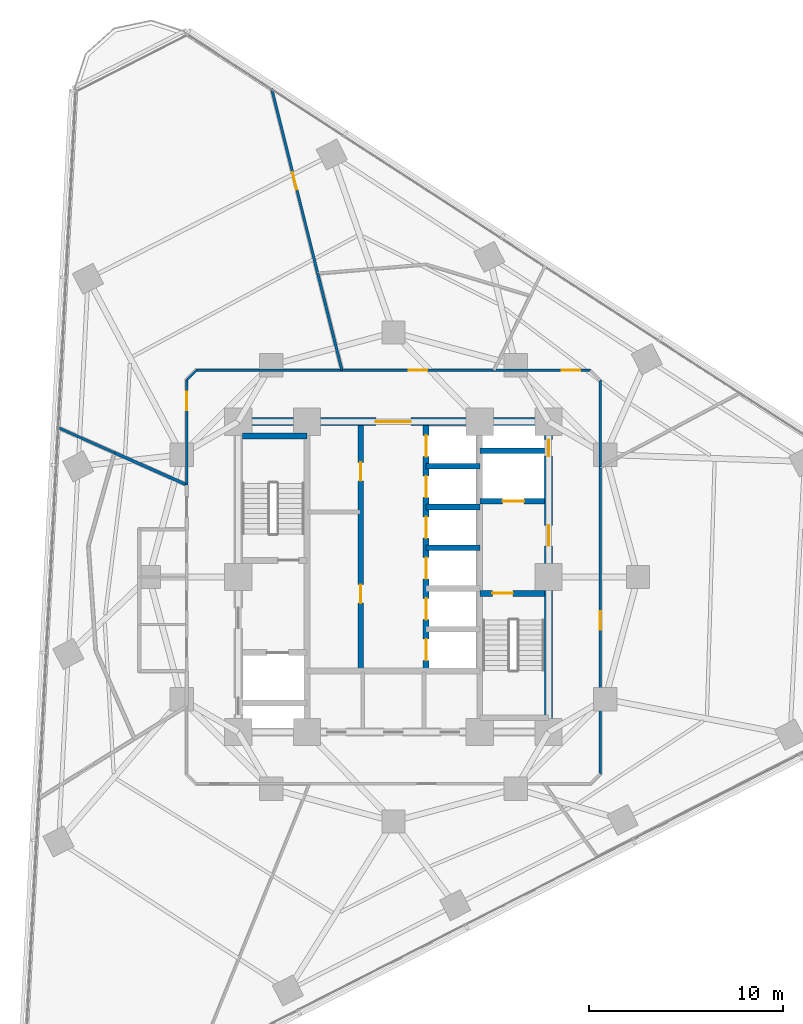
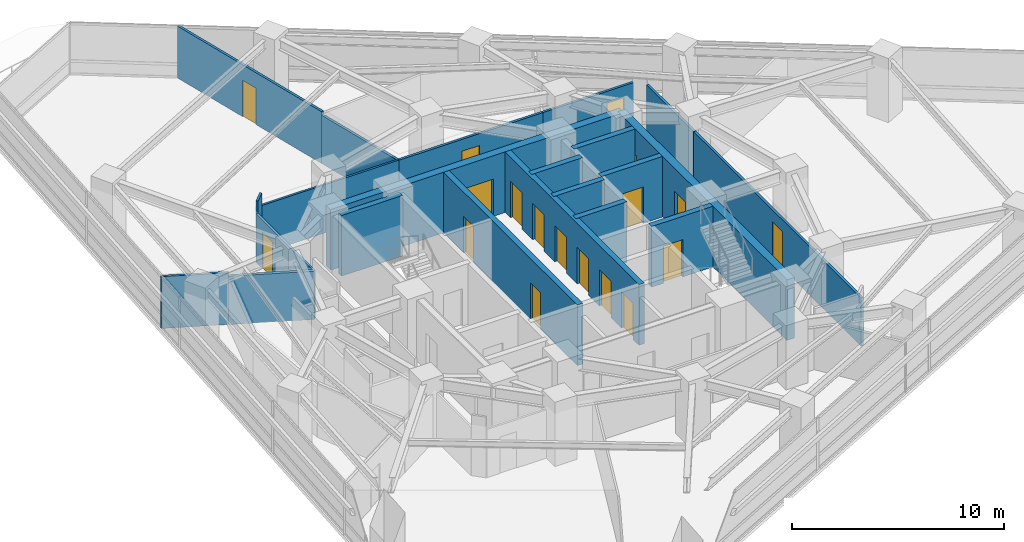
# One storey, part 9 of 14: 22 walls, 18 doors, 18 openings.
"""IFC4 building model written with IfcOpenShell, lengths in metres."""

import ifcopenshell
import ifcopenshell.guid

model = None  # the IFC model being written
_history = None  # IfcOwnerHistory: only IFC2X3 demands one
_inside = {}  # id of a spatial element -> (the spatial element, [elements in it])
_under = {}  # id of a project, library or spatial element -> (it, [spatial elements below it])
_declared = {}  # id of a project -> (the project, [libraries it declares])
_typed = {}  # id of a type object -> (the type object, [elements of that type])
_made_of = {}  # id of a material, layer set ... -> (it, [elements and type objects made of it])


def new_model(schema):
    """Start an empty IFC model of exactly this schema.

    Asked for "IFC4X3", IfcOpenShell would pick the latest addendum, in which some entities
    have other attributes; the version numbers below select the first issue.
    IFC2X3 requires an IfcOwnerHistory on every rooted entity: one is made here for all.
    """
    global model, _history
    if schema == "IFC4X3":
        model = ifcopenshell.file(schema_version=(4, 3, 0, 0))
    else:
        model = ifcopenshell.file(schema=schema)
    _inside.clear()
    _under.clear()
    _declared.clear()
    _typed.clear()
    _made_of.clear()
    _history = None
    if model.schema == "IFC2X3":
        org = make("IfcOrganization", Name="unknown")
        user = make(
            "IfcPersonAndOrganization",
            ThePerson=make("IfcPerson", FamilyName="unknown"),
            TheOrganization=org,
        )
        app = make(
            "IfcApplication",
            ApplicationDeveloper=org,
            Version="unknown",
            ApplicationFullName="unknown",
            ApplicationIdentifier="unknown",
        )
        _history = make(
            "IfcOwnerHistory",
            OwningUser=user,
            OwningApplication=app,
            ChangeAction="ADDED",
            CreationDate=0,
        )
    return model


def make(cls, **values):
    """One entity of the class cls with the attributes given. An attribute that is None is left unset."""
    return model.create_entity(
        cls, **{name: value for name, value in values.items() if value is not None}
    )


def rooted(cls, **values):
    """An entity with a GlobalId (a new one), such as an element, a storey or a relation."""
    return make(cls, GlobalId=ifcopenshell.guid.new(), OwnerHistory=_history, **values)


def si_unit(unit_type, name, prefix=None):
    """IfcSIUnit, for example si_unit("LENGTHUNIT", "METRE", prefix="MILLI")."""
    return make("IfcSIUnit", UnitType=unit_type, Prefix=prefix, Name=name)


def assignment(units):
    """IfcUnitAssignment: the units of a project."""
    return None if units is None else make("IfcUnitAssignment", Units=units)


def point(xyz):
    """IfcCartesianPoint."""
    return None if xyz is None else make("IfcCartesianPoint", Coordinates=xyz)


def direction(xyz):
    """IfcDirection."""
    return None if xyz is None else make("IfcDirection", DirectionRatios=xyz)


def frame(location, z_axis=None, x_axis=None):
    """IfcAxis2Placement3D, a coordinate frame: its origin and axes. An axis left out is left unset."""
    return make(
        "IfcAxis2Placement3D",
        Location=point(location),
        Axis=direction(z_axis),
        RefDirection=direction(x_axis),
    )


def frame_2d(location, x_axis=None):
    """IfcAxis2Placement2D, a coordinate frame in the plane: its origin and x axis."""
    return make(
        "IfcAxis2Placement2D", Location=point(location), RefDirection=direction(x_axis)
    )


def origin():
    """The frame at (0, 0, 0) with its axes left unset."""
    return frame((0.0, 0.0, 0.0))


def place(relative_to, where):
    """IfcLocalPlacement: puts the frame where relative to a parent placement (None: the world)."""
    return make(
        "IfcLocalPlacement", PlacementRelTo=relative_to, RelativePlacement=where
    )


def context(
    kind, dimensions, precision=None, world=None, true_north=None, identifier=None
):
    """IfcGeometricRepresentationContext, for example the 3D "Model" context."""
    return make(
        "IfcGeometricRepresentationContext",
        ContextIdentifier=identifier,
        ContextType=kind,
        CoordinateSpaceDimension=dimensions,
        Precision=precision,
        WorldCoordinateSystem=world,
        TrueNorth=true_north,
    )


def subcontext(parent, identifier, kind, view, scale=None):
    """IfcGeometricRepresentationSubContext, for example "Body" below "Model"."""
    return make(
        "IfcGeometricRepresentationSubContext",
        ContextIdentifier=identifier,
        ContextType=kind,
        ParentContext=parent,
        TargetScale=scale,
        TargetView=view,
    )


def project(units=None, contexts=None):
    """IfcProject with its units and contexts."""
    return rooted(
        "IfcProject",
        Name="project",
        RepresentationContexts=contexts,
        UnitsInContext=assignment(units),
    )


def spatial(cls, under=None, at=None, **own):
    """A site, building, storey or space (cls), placed at a placement, below another one or the project."""
    s = rooted(cls, ObjectPlacement=at, **own)
    if under is not None:
        _under.setdefault(under.id(), (under, []))[1].append(s)
    return s


def profile(cls, at=None, kind="AREA", **sizes):
    """A parametric profile (cls). Its sizes go by their IFC names, for example OverallWidth=200.0."""
    return make(cls, ProfileType=kind, Position=at, **sizes)


def rectangle(**sizes):
    """IfcRectangleProfileDef."""
    return profile("IfcRectangleProfileDef", **sizes)


def extrude(swept, where, along, depth):
    """IfcExtrudedAreaSolid: the profile swept, set in the frame where, extruded along a direction by depth."""
    return make(
        "IfcExtrudedAreaSolid",
        SweptArea=swept,
        Position=where,
        ExtrudedDirection=direction(along),
        Depth=depth,
    )


def shape(context_of_items, identifier, shape_type, items):
    """IfcShapeRepresentation: the items that make up one representation, for example the "Body"."""
    return make(
        "IfcShapeRepresentation",
        ContextOfItems=context_of_items,
        RepresentationIdentifier=identifier,
        RepresentationType=shape_type,
        Items=items,
    )


def material(Name=None, Category=None):
    """IfcMaterial."""
    return make("IfcMaterial", Name=Name, Category=Category)


def layer(
    of_material, thickness, ventilated=None, Name=None, Category=None, Priority=None
):
    """IfcMaterialLayer: one layer of a wall or slab, of a material (None: an air gap)."""
    return make(
        "IfcMaterialLayer",
        Material=of_material,
        LayerThickness=thickness,
        IsVentilated=ventilated,
        Name=Name,
        Category=Category,
        Priority=Priority,
    )


def layer_set(layers, Name=None):
    """IfcMaterialLayerSet."""
    return make("IfcMaterialLayerSet", MaterialLayers=layers, LayerSetName=Name)


def made_of(thing, what):
    """Note that an element or type object is made of a material, layer set ...; save() writes the relation."""
    if what is not None:
        _made_of.setdefault(what.id(), (what, []))[1].append(thing)
    return thing


def type_object(cls, material=None, **own):
    """A type object (cls), such as IfcWallType, which elements share."""
    return made_of(rooted(cls, **own), material)


def element(
    cls,
    number,
    at=None,
    inside=None,
    cuts=None,
    type_object=None,
    material=None,
    context=None,
    identifier="Body",
    shape_type=None,
    held_by="IfcProductDefinitionShape",
    body=None,
    shapes=None,
    **own,
):
    """One element of the class cls, such as IfcWall. Its Tag is "e" and its number.

    at: its placement. inside: the storey or other place that contains it. cuts: it is an
    opening in that element (IfcRelVoidsElement). A single representation is given by context,
    identifier, shape_type and body (its items); several are given by shapes. held_by: the class
    of the entity that holds the representations. save() writes the other relations.
    """
    e = rooted(cls, Tag="e%d" % number, ObjectPlacement=at, **own)
    if body is not None:
        shapes = [shape(context, identifier, shape_type, body)]
    if shapes is not None:
        e.Representation = make(held_by, Representations=shapes)
    if inside is not None:
        _inside.setdefault(inside.id(), (inside, []))[1].append(e)
    if cuts is not None:
        rooted(
            "IfcRelVoidsElement", RelatingBuildingElement=cuts, RelatedOpeningElement=e
        )
    if type_object is not None:
        _typed.setdefault(type_object.id(), (type_object, []))[1].append(e)
    return made_of(e, material)


def fill(opening, filler):
    """IfcRelFillsElement: the door or window that sits in an opening."""
    return rooted(
        "IfcRelFillsElement",
        RelatingOpeningElement=opening,
        RelatedBuildingElement=filler,
    )


def aggregate(whole, parts):
    """IfcRelAggregates: a whole, such as a stair, and the parts it consists of."""
    return rooted("IfcRelAggregates", RelatingObject=whole, RelatedObjects=parts)


def save(model, path):
    """Write the relations noted so far, then the file.

    IfcRelAggregates (storeys below a building ...), IfcRelContainedInSpatialStructure (elements
    in a storey), IfcRelDefinesByType, IfcRelAssociatesMaterial and IfcRelDeclares: one each for
    every whole, place, type object, material and project.
    """
    for whole, parts in _under.values():
        aggregate(whole, parts)
    for where, things in _inside.values():
        rooted(
            "IfcRelContainedInSpatialStructure",
            RelatedElements=things,
            RelatingStructure=where,
        )
    for kind, things in _typed.values():
        rooted("IfcRelDefinesByType", RelatedObjects=things, RelatingType=kind)
    for what, things in _made_of.values():
        rooted("IfcRelAssociatesMaterial", RelatedObjects=things, RelatingMaterial=what)
    for by, libraries in _declared.values():
        rooted("IfcRelDeclares", RelatingContext=by, RelatedDefinitions=libraries)
    model.write(path)


model = new_model("IFC4")

# Units and contexts
model_context = context("Model", 3, precision=1e-05, world=origin(), true_north=direction((0.0, 1.0)))
body_context = subcontext(model_context, "Body", "Model", "MODEL_VIEW")
ifc_project = project(units=[si_unit("LENGTHUNIT", "METRE"), si_unit("AREAUNIT", "SQUARE_METRE"), si_unit("VOLUMEUNIT", "CUBIC_METRE"), si_unit("PLANEANGLEUNIT", "RADIAN"), si_unit("MASSUNIT", "GRAM", prefix="KILO")], contexts=[model_context])

# Site, building, storey
site_placement = place(None, origin())
site = spatial("IfcSite", under=ifc_project, at=site_placement, CompositionType="ELEMENT")
building_placement = place(site_placement, origin())
building = spatial("IfcBuilding", under=site, at=building_placement, Name="Terralouvre Media Tower", CompositionType="ELEMENT")
storey_placement = place(building_placement, frame((0.0, 0.0, 138.39990234375)))
storey = spatial("IfcBuildingStorey", under=building, at=storey_placement, Name="L35", CompositionType="ELEMENT", Elevation=138.39990234375)

# Wall
ifc_material_1 = material(Name="Concrete C50/60", Category="concrete")
ifc_layer_1 = layer(ifc_material_1, 0.300048828125, Name="Core Internal Shaft Wall CW-300")
ifc_layer_set_1 = layer_set([ifc_layer_1], Name="Concrete C50/60")
wall_type_1 = type_object("IfcWallType", Name="Core Internal Shaft Wall CW-300", PredefinedType="SHEAR", material=ifc_layer_set_1)
wall_1_placement = place(storey_placement, frame((-7.7900390625, 7.260009765625, 0.0), z_axis=(0.0, 0.0, 1.0), x_axis=(1.0, 0.0, 0.0)))
element("IfcWall", 1, at=wall_1_placement, inside=storey, type_object=wall_type_1, Name="L35 Core Shaft Wall ST1F", PredefinedType="SHEAR", context=body_context, shape_type="SweptSolid", body=[
    extrude(rectangle(XDim=3.340087890625, YDim=0.300048828125, at=frame_2d((1.669921875, 0.0))), origin(), (0.0, 0.0, 1.0), 3.5),
])

# Wall, opening, door
wall_2_placement = place(storey_placement, frame((4.449951171875, -0.85009765625, 0.0), z_axis=(0.0, 0.0, 1.0), x_axis=(1.0, 0.0, 0.0)))
wall_2 = element("IfcWall", 2, at=wall_2_placement, inside=storey, type_object=wall_type_1, Name="L35 Core Shaft Wall ST2D", PredefinedType="SHEAR", context=body_context, shape_type="SweptSolid", body=[
    extrude(rectangle(XDim=3.340087890625, YDim=0.300048828125, at=frame_2d((1.669921875, 0.0))), origin(), (0.0, 0.0, 1.0), 3.5),
])
opening_1_placement = place(wall_2_placement, frame((0.64990234375, 0.0, 0.0)))
opening_1 = element("IfcOpeningElement", 3, at=opening_1_placement, cuts=wall_2, Name="Opening FD-01-105X215", PredefinedType="OPENING", context=body_context, shape_type="SweptSolid", body=[
    extrude(rectangle(XDim=1.050048828125, YDim=2.14990234375, at=frame_2d((0.52490234375, 1.074951171875))), frame((0.0, 0.159912109375, 0.0), z_axis=(0.0, -1.0, 0.0), x_axis=(1.0, 0.0, 0.0)), (0.0, 0.0, 1.0), 0.320068359375),
])
ifc_material_2 = material(Name="Galvanised steel fire-resisting leaf", Category="steel")
door_type_1 = type_object("IfcDoorType", Name="Stair and Firefighting Lobby Fire Door FD-01 (1050x2150)", OperationType="NOTDEFINED", PredefinedType="DOOR", material=ifc_material_2)
door_1_placement = place(opening_1_placement, origin())
door_1 = element("IfcDoor", 4, at=door_1_placement, inside=storey, type_object=door_type_1, Name="L35 ST-02 Exit Stair Door", OperationType="SINGLE_SWING_RIGHT", OverallHeight=2.14990234375, OverallWidth=1.050048828125, PredefinedType="DOOR", context=body_context, shape_type="SweptSolid", body=[
    extrude(rectangle(XDim=1.050048828125, YDim=2.14990234375, at=frame_2d((0.52490234375, 1.074951171875))), frame((0.0, 0.02490234375, 0.0), z_axis=(0.0, -1.0, 0.0), x_axis=(1.0, 0.0, 0.0)), (0.0, 0.0, 1.0), 0.050048828125),
])
fill(opening_1, door_1)

wall_3_placement = place(storey_placement, frame((4.449951171875, 3.89990234375, 0.0), z_axis=(0.0, 0.0, 1.0), x_axis=(1.0, 0.0, 0.0)))
wall_3 = element("IfcWall", 5, at=wall_3_placement, inside=storey, type_object=wall_type_1, Name="L35 Core Shaft Wall FF2S", PredefinedType="SHEAR", context=body_context, shape_type="SweptSolid", body=[
    extrude(rectangle(XDim=3.340087890625, YDim=0.300048828125, at=frame_2d((1.669921875, 0.0))), origin(), (0.0, 0.0, 1.0), 3.5),
])
opening_2_placement = place(wall_3_placement, frame((1.179931640625, 0.0, 0.0)))
opening_2 = element("IfcOpeningElement", 6, at=opening_2_placement, cuts=wall_3, Name="Opening LD-FF", PredefinedType="OPENING", context=body_context, shape_type="SweptSolid", body=[
    extrude(rectangle(XDim=1.10009765625, YDim=2.10009765625, at=frame_2d((0.550048828125, 1.050048828125))), frame((0.0, 0.159912109375, 0.0), z_axis=(0.0, -1.0, 0.0), x_axis=(1.0, 0.0, 0.0)), (0.0, 0.0, 1.0), 0.320068359375),
])
ifc_material_3 = material(Name="Stainless steel 316 handrail and balustrade", Category="steel")
door_type_2 = type_object("IfcDoorType", Name="Firefighting Lift Sliding Landing Door LD-FF", OperationType="SLIDING_TO_LEFT", PredefinedType="DOOR", material=ifc_material_3)
door_2_placement = place(opening_2_placement, origin())
door_2 = element("IfcDoor", 7, at=door_2_placement, inside=storey, type_object=door_type_2, Name="L35 Firefighting Lift FFL-02 Landing Door", OperationType="SLIDING_TO_LEFT", OverallHeight=2.10009765625, OverallWidth=1.10009765625, PredefinedType="DOOR", context=body_context, shape_type="SweptSolid", body=[
    extrude(rectangle(XDim=1.10009765625, YDim=2.10009765625, at=frame_2d((0.550048828125, 1.050048828125))), frame((0.0, 0.02490234375, 0.0), z_axis=(0.0, -1.0, 0.0), x_axis=(1.0, 0.0, 0.0)), (0.0, 0.0, 1.0), 0.050048828125),
])
fill(opening_2, door_2)

# Wall
wall_4_placement = place(storey_placement, frame((4.449951171875, 6.5, 0.0), z_axis=(0.0, 0.0, 1.0), x_axis=(1.0, 0.0, 0.0)))
element("IfcWall", 8, at=wall_4_placement, inside=storey, type_object=wall_type_1, Name="L35 Core Shaft Wall FF2N", PredefinedType="SHEAR", context=body_context, shape_type="SweptSolid", body=[
    extrude(rectangle(XDim=3.340087890625, YDim=0.300048828125, at=frame_2d((1.669921875, 0.0))), origin(), (0.0, 0.0, 1.0), 3.5),
])

# Wall, openings, doors
wall_5_placement = place(storey_placement, frame((-1.679931640625, -4.85009765625, 0.0), z_axis=(0.0, 0.0, 1.0), x_axis=(0.0, 1.0, 0.0)))
wall_5 = element("IfcWall", 9, at=wall_5_placement, inside=storey, type_object=wall_type_1, Name="L35 Core Shaft Wall LBW", PredefinedType="SHEAR", context=body_context, shape_type="SweptSolid", body=[
    extrude(rectangle(XDim=12.64013671875, YDim=0.300048828125, at=frame_2d((6.320068359375, 0.0))), origin(), (0.0, 0.0, 1.0), 3.5),
])
opening_3_placement = place(wall_5_placement, frame((3.5, 0.0, 0.0)))
opening_3 = element("IfcOpeningElement", 10, at=opening_3_placement, cuts=wall_5, Name="Opening FD-04-95X210", PredefinedType="OPENING", context=body_context, shape_type="SweptSolid", body=[
    extrude(rectangle(XDim=0.949951171875, YDim=2.10009765625, at=frame_2d((0.47509765625, 1.050048828125))), frame((0.0, 0.159912109375, 0.0), z_axis=(0.0, -1.0, 0.0), x_axis=(1.0, 0.0, 0.0)), (0.0, 0.0, 1.0), 0.320068359375),
])
opening_4_placement = place(wall_5_placement, frame((9.800048828125, 0.0, 0.0)))
opening_4 = element("IfcOpeningElement", 11, at=opening_4_placement, cuts=wall_5, Name="Opening FD-02-95X210", PredefinedType="OPENING", context=body_context, shape_type="SweptSolid", body=[
    extrude(rectangle(XDim=0.949951171875, YDim=2.10009765625, at=frame_2d((0.47509765625, 1.050048828125))), frame((0.0, 0.159912109375, 0.0), z_axis=(0.0, -1.0, 0.0), x_axis=(1.0, 0.0, 0.0)), (0.0, 0.0, 1.0), 0.320068359375),
])
ifc_material_4 = material(Name="Galvanised steel fire-resisting leaf", Category="steel")
door_type_3 = type_object("IfcDoorType", Name="Core Store and Service Fire Door FD-04 (950x2100)", OperationType="NOTDEFINED", PredefinedType="DOOR", material=ifc_material_4)
door_3_placement = place(opening_3_placement, origin())
door_3 = element("IfcDoor", 12, at=door_3_placement, inside=storey, type_object=door_type_3, Name="L35 Core Archive Store Door", OperationType="SINGLE_SWING_LEFT", OverallHeight=2.10009765625, OverallWidth=0.949951171875, PredefinedType="DOOR", context=body_context, shape_type="SweptSolid", body=[
    extrude(rectangle(XDim=0.949951171875, YDim=2.10009765625, at=frame_2d((0.47509765625, 1.050048828125))), frame((0.0, 0.02490234375, 0.0), z_axis=(0.0, -1.0, 0.0), x_axis=(1.0, 0.0, 0.0)), (0.0, 0.0, 1.0), 0.050048828125),
])
fill(opening_3, door_3)
ifc_material_5 = material(Name="Galvanised steel fire-resisting leaf", Category="steel")
door_type_4 = type_object("IfcDoorType", Name="Plant and Riser Fire Door FD-02 (950x2100)", OperationType="NOTDEFINED", PredefinedType="DOOR", material=ifc_material_5)
door_4_placement = place(opening_4_placement, origin())
door_4 = element("IfcDoor", 13, at=door_4_placement, inside=storey, type_object=door_type_4, Name="L35 Core AV Repeater Plant Door", OperationType="SINGLE_SWING_RIGHT", OverallHeight=2.10009765625, OverallWidth=0.949951171875, PredefinedType="DOOR", context=body_context, shape_type="SweptSolid", body=[
    extrude(rectangle(XDim=0.949951171875, YDim=2.10009765625, at=frame_2d((0.47509765625, 1.050048828125))), frame((0.0, 0.02490234375, 0.0), z_axis=(0.0, -1.0, 0.0), x_axis=(1.0, 0.0, 0.0)), (0.0, 0.0, 1.0), 0.050048828125),
])
fill(opening_4, door_4)

wall_6_placement = place(storey_placement, frame((1.679931640625, -4.85009765625, 0.0), z_axis=(0.0, 0.0, 1.0), x_axis=(0.0, 1.0, 0.0)))
wall_6 = element("IfcWall", 14, at=wall_6_placement, inside=storey, type_object=wall_type_1, Name="L35 Core Shaft Wall LBE", PredefinedType="SHEAR", context=body_context, shape_type="SweptSolid", body=[
    extrude(rectangle(XDim=12.64013671875, YDim=0.300048828125, at=frame_2d((6.320068359375, 0.0))), origin(), (0.0, 0.0, 1.0), 3.5),
])
opening_5_placement = place(wall_6_placement, frame((0.550048828125, 0.0, 0.0)))
opening_5 = element("IfcOpeningElement", 15, at=opening_5_placement, cuts=wall_6, Name="Opening LD-PL", PredefinedType="OPENING", context=body_context, shape_type="SweptSolid", body=[
    extrude(rectangle(XDim=1.10009765625, YDim=2.10009765625, at=frame_2d((0.550048828125, 1.050048828125))), frame((0.0, 0.159912109375, 0.0), z_axis=(0.0, -1.0, 0.0), x_axis=(1.0, 0.0, 0.0)), (0.0, 0.0, 1.0), 0.320068359375),
])
opening_6_placement = place(wall_6_placement, frame((2.64990234375, 0.0, 0.0)))
opening_6 = element("IfcOpeningElement", 16, at=opening_6_placement, cuts=wall_6, Name="Opening LD-PL", PredefinedType="OPENING", context=body_context, shape_type="SweptSolid", body=[
    extrude(rectangle(XDim=1.10009765625, YDim=2.10009765625, at=frame_2d((0.550048828125, 1.050048828125))), frame((0.0, 0.159912109375, 0.0), z_axis=(0.0, -1.0, 0.0), x_axis=(1.0, 0.0, 0.0)), (0.0, 0.0, 1.0), 0.320068359375),
])
opening_7_placement = place(wall_6_placement, frame((4.75, 0.0, 0.0)))
opening_7 = element("IfcOpeningElement", 17, at=opening_7_placement, cuts=wall_6, Name="Opening LD-PL", PredefinedType="OPENING", context=body_context, shape_type="SweptSolid", body=[
    extrude(rectangle(XDim=1.10009765625, YDim=2.10009765625, at=frame_2d((0.550048828125, 1.050048828125))), frame((0.0, 0.159912109375, 0.0), z_axis=(0.0, -1.0, 0.0), x_axis=(1.0, 0.0, 0.0)), (0.0, 0.0, 1.0), 0.320068359375),
])
opening_8_placement = place(wall_6_placement, frame((6.85009765625, 0.0, 0.0)))
opening_8 = element("IfcOpeningElement", 18, at=opening_8_placement, cuts=wall_6, Name="Opening LD-PL", PredefinedType="OPENING", context=body_context, shape_type="SweptSolid", body=[
    extrude(rectangle(XDim=1.10009765625, YDim=2.10009765625, at=frame_2d((0.550048828125, 1.050048828125))), frame((0.0, 0.159912109375, 0.0), z_axis=(0.0, -1.0, 0.0), x_axis=(1.0, 0.0, 0.0)), (0.0, 0.0, 1.0), 0.320068359375),
])
opening_9_placement = place(wall_6_placement, frame((8.949951171875, 0.0, 0.0)))
opening_9 = element("IfcOpeningElement", 19, at=opening_9_placement, cuts=wall_6, Name="Opening LD-PL", PredefinedType="OPENING", context=body_context, shape_type="SweptSolid", body=[
    extrude(rectangle(XDim=1.10009765625, YDim=2.10009765625, at=frame_2d((0.550048828125, 1.050048828125))), frame((0.0, 0.159912109375, 0.0), z_axis=(0.0, -1.0, 0.0), x_axis=(1.0, 0.0, 0.0)), (0.0, 0.0, 1.0), 0.320068359375),
])
opening_10_placement = place(wall_6_placement, frame((11.050048828125, 0.0, 0.0)))
opening_10 = element("IfcOpeningElement", 20, at=opening_10_placement, cuts=wall_6, Name="Opening LD-PL", PredefinedType="OPENING", context=body_context, shape_type="SweptSolid", body=[
    extrude(rectangle(XDim=1.10009765625, YDim=2.10009765625, at=frame_2d((0.550048828125, 1.050048828125))), frame((0.0, 0.159912109375, 0.0), z_axis=(0.0, -1.0, 0.0), x_axis=(1.0, 0.0, 0.0)), (0.0, 0.0, 1.0), 0.320068359375),
])
ifc_material_6 = material(Name="Stainless steel 316 handrail and balustrade", Category="steel")
door_type_5 = type_object("IfcDoorType", Name="Passenger Lift Sliding Landing Door LD-PL", OperationType="SLIDING_TO_LEFT", PredefinedType="DOOR", material=ifc_material_6)
door_5_placement = place(opening_5_placement, origin())
door_5 = element("IfcDoor", 21, at=door_5_placement, inside=storey, type_object=door_type_5, Name="L35 High-Rise Lift PL-H1 Landing Door", OperationType="SLIDING_TO_LEFT", OverallHeight=2.10009765625, OverallWidth=1.10009765625, PredefinedType="DOOR", context=body_context, shape_type="SweptSolid", body=[
    extrude(rectangle(XDim=1.10009765625, YDim=2.10009765625, at=frame_2d((0.550048828125, 1.050048828125))), frame((0.0, 0.02490234375, 0.0), z_axis=(0.0, -1.0, 0.0), x_axis=(1.0, 0.0, 0.0)), (0.0, 0.0, 1.0), 0.050048828125),
])
fill(opening_5, door_5)
door_6_placement = place(opening_6_placement, origin())
door_6 = element("IfcDoor", 22, at=door_6_placement, inside=storey, type_object=door_type_5, Name="L35 High-Rise Lift PL-H2 Landing Door", OperationType="SLIDING_TO_LEFT", OverallHeight=2.10009765625, OverallWidth=1.10009765625, PredefinedType="DOOR", context=body_context, shape_type="SweptSolid", body=[
    extrude(rectangle(XDim=1.10009765625, YDim=2.10009765625, at=frame_2d((0.550048828125, 1.050048828125))), frame((0.0, 0.02490234375, 0.0), z_axis=(0.0, -1.0, 0.0), x_axis=(1.0, 0.0, 0.0)), (0.0, 0.0, 1.0), 0.050048828125),
])
fill(opening_6, door_6)
door_7_placement = place(opening_7_placement, origin())
door_7 = element("IfcDoor", 23, at=door_7_placement, inside=storey, type_object=door_type_5, Name="L35 High-Rise Lift PL-H3 Landing Door", OperationType="SLIDING_TO_LEFT", OverallHeight=2.10009765625, OverallWidth=1.10009765625, PredefinedType="DOOR", context=body_context, shape_type="SweptSolid", body=[
    extrude(rectangle(XDim=1.10009765625, YDim=2.10009765625, at=frame_2d((0.550048828125, 1.050048828125))), frame((0.0, 0.02490234375, 0.0), z_axis=(0.0, -1.0, 0.0), x_axis=(1.0, 0.0, 0.0)), (0.0, 0.0, 1.0), 0.050048828125),
])
fill(opening_7, door_7)
door_8_placement = place(opening_8_placement, origin())
door_8 = element("IfcDoor", 24, at=door_8_placement, inside=storey, type_object=door_type_5, Name="L35 Mid-Rise Lift PL-M1 Landing Door", OperationType="SLIDING_TO_LEFT", OverallHeight=2.10009765625, OverallWidth=1.10009765625, PredefinedType="DOOR", context=body_context, shape_type="SweptSolid", body=[
    extrude(rectangle(XDim=1.10009765625, YDim=2.10009765625, at=frame_2d((0.550048828125, 1.050048828125))), frame((0.0, 0.02490234375, 0.0), z_axis=(0.0, -1.0, 0.0), x_axis=(1.0, 0.0, 0.0)), (0.0, 0.0, 1.0), 0.050048828125),
])
fill(opening_8, door_8)
door_9_placement = place(opening_9_placement, origin())
door_9 = element("IfcDoor", 25, at=door_9_placement, inside=storey, type_object=door_type_5, Name="L35 Mid-Rise Lift PL-M2 Landing Door", OperationType="SLIDING_TO_LEFT", OverallHeight=2.10009765625, OverallWidth=1.10009765625, PredefinedType="DOOR", context=body_context, shape_type="SweptSolid", body=[
    extrude(rectangle(XDim=1.10009765625, YDim=2.10009765625, at=frame_2d((0.550048828125, 1.050048828125))), frame((0.0, 0.02490234375, 0.0), z_axis=(0.0, -1.0, 0.0), x_axis=(1.0, 0.0, 0.0)), (0.0, 0.0, 1.0), 0.050048828125),
])
fill(opening_9, door_9)
door_10_placement = place(opening_10_placement, origin())
door_10 = element("IfcDoor", 26, at=door_10_placement, inside=storey, type_object=door_type_5, Name="L35 Mid-Rise Lift PL-M3 Landing Door", OperationType="SLIDING_TO_LEFT", OverallHeight=2.10009765625, OverallWidth=1.10009765625, PredefinedType="DOOR", context=body_context, shape_type="SweptSolid", body=[
    extrude(rectangle(XDim=1.10009765625, YDim=2.10009765625, at=frame_2d((0.550048828125, 1.050048828125))), frame((0.0, 0.02490234375, 0.0), z_axis=(0.0, -1.0, 0.0), x_axis=(1.0, 0.0, 0.0)), (0.0, 0.0, 1.0), 0.050048828125),
])
fill(opening_10, door_10)

# Walls
for number, where, z_axis, x_axis, name in (
    (27, (1.679931640625, 1.5, 0.0), (0.0, 0.0, 1.0), (1.0, 0.0, 0.0), "L35 Core Shaft Wall PLMD0"),
    (28, (1.679931640625, 3.60009765625, 0.0), (0.0, 0.0, 1.0), (1.0, 0.0, 0.0), "L35 Core Shaft Wall PLMD1"),
    (29, (1.679931640625, 5.699951171875, 0.0), (0.0, 0.0, 1.0), (1.0, 0.0, 0.0), "L35 Core Shaft Wall PLMD2"),
):
    element("IfcWall", number, at=place(storey_placement, frame(where, z_axis=z_axis, x_axis=x_axis)), inside=storey, type_object=wall_type_1, Name=name, PredefinedType="SHEAR", context=body_context, shape_type="SweptSolid", body=[
        extrude(rectangle(XDim=2.77001953125, YDim=0.300048828125, at=frame_2d((1.385009765625, 0.0))), origin(), (0.0, 0.0, 1.0), 3.5),
    ])

# Wall, openings, doors
ifc_material_7 = material(Name="Concrete C60/75", Category="concrete")
ifc_layer_2 = layer(ifc_material_7, 0.419921875, Name="Core Reinforced Concrete Shear Wall CW-420")
ifc_layer_set_2 = layer_set([ifc_layer_2], Name="Concrete C60/75")
wall_type_2 = type_object("IfcWallType", Name="Core Reinforced Concrete Shear Wall CW-420", PredefinedType="SHEAR", material=ifc_layer_set_2)
wall_7_placement = place(storey_placement, frame((8.0, -8.0, 0.0), z_axis=(0.0, 0.0, 1.0), x_axis=(0.0, 1.0, 0.0)))
wall_7 = element("IfcWall", 30, at=wall_7_placement, inside=storey, type_object=wall_type_2, Name="L35 E Core Shear Wall", PredefinedType="SHEAR", context=body_context, shape_type="SweptSolid", body=[
    extrude(rectangle(XDim=16.0, YDim=0.419921875, at=frame_2d((8.0, 0.0))), origin(), (0.0, 0.0, 1.0), 3.5),
])
opening_11_placement = place(wall_7_placement, frame((9.60009765625, 0.0, 0.0)))
opening_11 = element("IfcOpeningElement", 31, at=opening_11_placement, cuts=wall_7, Name="Opening FD-01-105X215", PredefinedType="OPENING", context=body_context, shape_type="SweptSolid", body=[
    extrude(rectangle(XDim=1.050048828125, YDim=2.14990234375, at=frame_2d((0.52490234375, 1.074951171875))), frame((0.0, 0.219970703125, 0.0), z_axis=(0.0, -1.0, 0.0), x_axis=(1.0, 0.0, 0.0)), (0.0, 0.0, 1.0), 0.43994140625),
])
opening_12_placement = place(wall_7_placement, frame((14.228515625, 0.0, 0.0)))
opening_12 = element("IfcOpeningElement", 32, at=opening_12_placement, cuts=wall_7, Name="Opening TD-R1", PredefinedType="OPENING", context=body_context, shape_type="SweptSolid", body=[
    extrude(rectangle(XDim=0.85009765625, YDim=2.02001953125, at=frame_2d((0.425048828125, 1.010009765625))), frame((0.0, 0.219970703125, 0.0), z_axis=(0.0, -1.0, 0.0), x_axis=(1.0, 0.0, 0.0)), (0.0, 0.0, 1.0), 0.43994140625),
])
ifc_material_8 = material(Name="Galvanised steel fire-resisting leaf", Category="steel")
door_type_6 = type_object("IfcDoorType", Name="Riser Inspection Access Trapdoor TD-R1", OperationType="NOTDEFINED", PredefinedType="TRAPDOOR", material=ifc_material_8)
door_11_placement = place(opening_12_placement, origin())
door_11 = element("IfcDoor", 33, at=door_11_placement, inside=storey, type_object=door_type_6, Name="L35 East Comms Riser Access Trapdoor", OperationType="SINGLE_SWING_RIGHT", OverallHeight=2.02001953125, OverallWidth=0.85009765625, PredefinedType="TRAPDOOR", context=body_context, shape_type="SweptSolid", body=[
    extrude(rectangle(XDim=0.85009765625, YDim=2.02001953125, at=frame_2d((0.425048828125, 1.010009765625))), frame((0.0, 0.02490234375, 0.0), z_axis=(0.0, -1.0, 0.0), x_axis=(1.0, 0.0, 0.0)), (0.0, 0.0, 1.0), 0.050048828125),
])
fill(opening_12, door_11)
door_12_placement = place(opening_11_placement, origin())
door_12 = element("IfcDoor", 34, at=door_12_placement, inside=storey, type_object=door_type_1, Name="L35 East Firefighting Lobby Entry Door", OperationType="SINGLE_SWING_LEFT", OverallHeight=2.14990234375, OverallWidth=1.050048828125, PredefinedType="DOOR", context=body_context, shape_type="SweptSolid", body=[
    extrude(rectangle(XDim=1.050048828125, YDim=2.14990234375, at=frame_2d((0.52490234375, 1.074951171875))), frame((0.0, 0.02490234375, 0.0), z_axis=(0.0, -1.0, 0.0), x_axis=(1.0, 0.0, 0.0)), (0.0, 0.0, 1.0), 0.050048828125),
])
fill(opening_11, door_12)

# Wall, opening, door
wall_8_placement = place(storey_placement, frame((-8.0, 8.0, 0.0), z_axis=(0.0, 0.0, 1.0), x_axis=(1.0, 0.0, 0.0)))
wall_8 = element("IfcWall", 35, at=wall_8_placement, inside=storey, type_object=wall_type_2, Name="L35 N Core Shear Wall", PredefinedType="SHEAR", context=body_context, shape_type="SweptSolid", body=[
    extrude(rectangle(XDim=16.0, YDim=0.419921875, at=frame_2d((8.0, 0.0))), origin(), (0.0, 0.0, 1.0), 3.5),
])
opening_13_placement = place(wall_8_placement, frame((7.10009765625, 0.0, 0.0)))
opening_13 = element("IfcOpeningElement", 36, at=opening_13_placement, cuts=wall_8, Name="Opening FD-03", PredefinedType="OPENING", context=body_context, shape_type="SweptSolid", body=[
    extrude(rectangle(XDim=1.800048828125, YDim=2.14990234375, at=frame_2d((0.89990234375, 1.074951171875))), frame((0.0, 0.219970703125, 0.0), z_axis=(0.0, -1.0, 0.0), x_axis=(1.0, 0.0, 0.0)), (0.0, 0.0, 1.0), 0.43994140625),
])
ifc_material_9 = material(Name="Galvanised steel fire-resisting leaf", Category="steel")
door_type_7 = type_object("IfcDoorType", Name="Corridor Smoke-Control Double Door FD-03", OperationType="DOUBLE_DOOR_SINGLE_SWING", PredefinedType="DOOR", material=ifc_material_9)
door_13_placement = place(opening_13_placement, origin())
door_13 = element("IfcDoor", 37, at=door_13_placement, inside=storey, type_object=door_type_7, Name="L35 Central Lift Lobby Portal Door", OperationType="DOUBLE_DOOR_SINGLE_SWING", OverallHeight=2.14990234375, OverallWidth=1.800048828125, PredefinedType="DOOR", context=body_context, shape_type="SweptSolid", body=[
    extrude(rectangle(XDim=1.800048828125, YDim=2.14990234375, at=frame_2d((0.89990234375, 1.074951171875))), frame((0.0, 0.02490234375, 0.0), z_axis=(0.0, -1.0, 0.0), x_axis=(1.0, 0.0, 0.0)), (0.0, 0.0, 1.0), 0.050048828125),
])
fill(opening_13, door_13)

ifc_material_10 = material(Name="Fire-rated gypsum board drywall partition")
ifc_layer_3 = layer(ifc_material_10, 0.135009765625, Name="Newsroom Acoustic Partition PT-135")
ifc_layer_set_3 = layer_set([ifc_layer_3], Name="Fire-rated gypsum board drywall partition")
wall_type_3 = type_object("IfcWallType", Name="Newsroom Acoustic Partition PT-135", PredefinedType="PARTITIONING", material=ifc_layer_set_3)
wall_9_placement = place(storey_placement, frame((10.64990234375, -10.14990234375, 0.0), z_axis=(0.0, 0.0, 1.0), x_axis=(0.0, 1.0, 0.0)))
wall_9 = element("IfcWall", 38, at=wall_9_placement, inside=storey, type_object=wall_type_3, Name="L35 Interior Partition 011", PredefinedType="PARTITIONING", context=body_context, shape_type="SweptSolid", body=[
    extrude(rectangle(XDim=15.81298828125, YDim=0.135009765625, at=frame_2d((7.906494140625, 0.0))), origin(), (0.0, 0.0, 1.0), 2.78515625),
])
opening_14_placement = place(wall_9_placement, frame((7.431396484375, 0.0, 0.0)))
opening_14 = element("IfcOpeningElement", 39, at=opening_14_placement, cuts=wall_9, Name="Opening ID-02-95X210", PredefinedType="OPENING", context=body_context, shape_type="SweptSolid", body=[
    extrude(rectangle(XDim=0.949951171875, YDim=2.10009765625, at=frame_2d((0.47509765625, 1.050048828125))), frame((0.0, 0.077392578125, 0.0), z_axis=(0.0, -1.0, 0.0), x_axis=(1.0, 0.0, 0.0)), (0.0, 0.0, 1.0), 0.155029296875),
])
ifc_material_11 = material(Name="Engineered hardwood acoustic timber leaf", Category="wood")
door_type_8 = type_object("IfcDoorType", Name="Office and Meeting Room Door ID-02 (950x2100)", OperationType="NOTDEFINED", PredefinedType="DOOR", material=ifc_material_11)
door_14_placement = place(opening_14_placement, origin())
door_14 = element("IfcDoor", 40, at=door_14_placement, inside=storey, type_object=door_type_8, Name="L35 Book Review Reading Study 5 Door", OperationType="SINGLE_SWING_LEFT", OverallHeight=2.10009765625, OverallWidth=0.949951171875, PredefinedType="DOOR", context=body_context, shape_type="SweptSolid", body=[
    extrude(rectangle(XDim=0.949951171875, YDim=2.10009765625, at=frame_2d((0.47509765625, 1.050048828125))), frame((0.0, 0.02490234375, 0.0), z_axis=(0.0, -1.0, 0.0), x_axis=(1.0, 0.0, 0.0)), (0.0, 0.0, 1.0), 0.050048828125),
])
fill(opening_14, door_14)

# Wall
wall_10_placement = place(storey_placement, frame((10.64990234375, 5.6630859375, 0.0), z_axis=(0.0, 0.0, 1.0), x_axis=(0.0, 1.0, 0.0)))
element("IfcWall", 41, at=wall_10_placement, inside=storey, type_object=wall_type_3, Name="L35 Interior Partition 012", PredefinedType="PARTITIONING", context=body_context, shape_type="SweptSolid", body=[
    extrude(rectangle(XDim=4.48681640625, YDim=0.135009765625, at=frame_2d((2.243408203125, 0.0))), origin(), (0.0, 0.0, 1.0), 2.78515625),
])

# Wall, opening, door
wall_11_placement = place(storey_placement, frame((10.14990234375, 10.64990234375, 0.0), z_axis=(0.0, 0.0, 1.0), x_axis=(-1.0, 0.0, 0.0)))
wall_11 = element("IfcWall", 42, at=wall_11_placement, inside=storey, type_object=wall_type_3, Name="L35 Interior Partition 014", PredefinedType="PARTITIONING", context=body_context, shape_type="SweptSolid", body=[
    extrude(rectangle(XDim=4.955810546875, YDim=0.135009765625, at=frame_2d((2.47802734375, 0.0))), origin(), (0.0, 0.0, 1.0), 2.78515625),
])
opening_15_placement = place(wall_11_placement, frame((0.51611328125, 0.0, 0.0)))
opening_15 = element("IfcOpeningElement", 43, at=opening_15_placement, cuts=wall_11, Name="Opening ID-02-95X210", PredefinedType="OPENING", context=body_context, shape_type="SweptSolid", body=[
    extrude(rectangle(XDim=0.949951171875, YDim=2.10009765625, at=frame_2d((0.47509765625, 1.050048828125))), frame((0.0, 0.077392578125, 0.0), z_axis=(0.0, -1.0, 0.0), x_axis=(1.0, 0.0, 0.0)), (0.0, 0.0, 1.0), 0.155029296875),
])
door_15_placement = place(opening_15_placement, origin())
door_15 = element("IfcDoor", 44, at=door_15_placement, inside=storey, type_object=door_type_8, Name="L35 Literary Salon Lounge 6 Door", OperationType="SINGLE_SWING_RIGHT", OverallHeight=2.10009765625, OverallWidth=0.949951171875, PredefinedType="DOOR", context=body_context, shape_type="SweptSolid", body=[
    extrude(rectangle(XDim=0.949951171875, YDim=2.10009765625, at=frame_2d((0.47509765625, 1.050048828125))), frame((0.0, 0.02490234375, 0.0), z_axis=(0.0, -1.0, 0.0), x_axis=(1.0, 0.0, 0.0)), (0.0, 0.0, 1.0), 0.050048828125),
])
fill(opening_15, door_15)

wall_12_placement = place(storey_placement, frame((5.194091796875, 10.64990234375, 0.0), z_axis=(0.0, 0.0, 1.0), x_axis=(-1.0, 0.0, 0.0)))
wall_12 = element("IfcWall", 45, at=wall_12_placement, inside=storey, type_object=wall_type_3, Name="L35 Interior Partition 015", PredefinedType="PARTITIONING", context=body_context, shape_type="SweptSolid", body=[
    extrude(rectangle(XDim=7.84912109375, YDim=0.135009765625, at=frame_2d((3.924560546875, 0.0))), origin(), (0.0, 0.0, 1.0), 2.78515625),
])
opening_16_placement = place(wall_12_placement, frame((3.449462890625, 0.0, 0.0)))
opening_16 = element("IfcOpeningElement", 46, at=opening_16_placement, cuts=wall_12, Name="Opening ID-02-95X210", PredefinedType="OPENING", context=body_context, shape_type="SweptSolid", body=[
    extrude(rectangle(XDim=0.949951171875, YDim=2.10009765625, at=frame_2d((0.47509765625, 1.050048828125))), frame((0.0, 0.077392578125, 0.0), z_axis=(0.0, -1.0, 0.0), x_axis=(1.0, 0.0, 0.0)), (0.0, 0.0, 1.0), 0.155029296875),
])
door_16_placement = place(opening_16_placement, origin())
door_16 = element("IfcDoor", 47, at=door_16_placement, inside=storey, type_object=door_type_8, Name="L35 Chamber Rehearsal Creative Workshop 7 Door", OperationType="SINGLE_SWING_LEFT", OverallHeight=2.10009765625, OverallWidth=0.949951171875, PredefinedType="DOOR", context=body_context, shape_type="SweptSolid", body=[
    extrude(rectangle(XDim=0.949951171875, YDim=2.10009765625, at=frame_2d((0.47509765625, 1.050048828125))), frame((0.0, 0.02490234375, 0.0), z_axis=(0.0, -1.0, 0.0), x_axis=(1.0, 0.0, 0.0)), (0.0, 0.0, 1.0), 0.050048828125),
])
fill(opening_16, door_16)

# Walls
wall_13_placement = place(storey_placement, frame((-14.3740234375, 6.39990234375, 0.0), z_axis=(0.0, 0.0, 1.0), x_axis=(-0.913611090133, 0.406589198068, 0.0)))
element("IfcWall", 48, at=wall_13_placement, inside=storey, type_object=wall_type_3, Name="L35 Interior Partition 033", PredefinedType="PARTITIONING", context=body_context, shape_type="SweptSolid", body=[
    extrude(rectangle(XDim=3.216064453125, YDim=0.135009765625, at=frame_2d((1.60791015625, 0.0))), origin(), (0.0, 0.0, 1.0), 2.985107421875),
])
wall_14_placement = place(storey_placement, frame((-3.90087890625, 15.64599609375, 0.0), z_axis=(0.0, 0.0, 1.0), x_axis=(0.241955453095, -0.970287358836, 0.0)))
element("IfcWall", 49, at=wall_14_placement, inside=storey, type_object=wall_type_3, Name="L35 Interior Partition 041", PredefinedType="PARTITIONING", context=body_context, shape_type="SweptSolid", body=[
    extrude(rectangle(XDim=5.149169921875, YDim=0.135009765625, at=frame_2d((2.57470703125, 0.0))), origin(), (0.0, 0.0, 1.0), 2.78515625),
])

# Wall, opening, door
wall_15_placement = place(storey_placement, frame((-6.276123046875, 25.1708984375, 0.0), z_axis=(0.0, 0.0, 1.0), x_axis=(0.241962105276, -0.970285699993, 0.0)))
wall_15 = element("IfcWall", 50, at=wall_15_placement, inside=storey, type_object=wall_type_3, Name="L35 Interior Partition 042", PredefinedType="PARTITIONING", context=body_context, shape_type="SweptSolid", body=[
    extrude(rectangle(XDim=9.816650390625, YDim=0.135009765625, at=frame_2d((4.908203125, 0.0))), origin(), (0.0, 0.0, 1.0), 2.985107421875),
])
opening_17_placement = place(wall_15_placement, frame((4.4482421875, 0.0, 0.0)))
opening_17 = element("IfcOpeningElement", 51, at=opening_17_placement, cuts=wall_15, Name="Opening ID-03-92X210", PredefinedType="OPENING", context=body_context, shape_type="SweptSolid", body=[
    extrude(rectangle(XDim=0.919921875, YDim=2.10009765625, at=frame_2d((0.4599609375, 1.050048828125))), frame((0.0, 0.077392578125, 0.0), z_axis=(0.0, -1.0, 0.0), x_axis=(1.0, 0.0, 0.0)), (0.0, 0.0, 1.0), 0.155029296875),
])
ifc_material_12 = material(Name="Engineered hardwood acoustic timber leaf", Category="wood")
door_type_9 = type_object("IfcDoorType", Name="Accessible Restroom and Suite Door ID-03 (920x2100)", OperationType="NOTDEFINED", PredefinedType="DOOR", material=ifc_material_12)
door_17_placement = place(opening_17_placement, origin())
door_17 = element("IfcDoor", 52, at=door_17_placement, inside=storey, type_object=door_type_9, Name="L35 Publishing Production Workspace 8 Door", OperationType="SINGLE_SWING_LEFT", OverallHeight=2.10009765625, OverallWidth=0.919921875, PredefinedType="DOOR", context=body_context, shape_type="SweptSolid", body=[
    extrude(rectangle(XDim=0.919921875, YDim=2.10009765625, at=frame_2d((0.4599609375, 1.050048828125))), frame((0.0, 0.02490234375, 0.0), z_axis=(0.0, -1.0, 0.0), x_axis=(1.0, 0.0, 0.0)), (0.0, 0.0, 1.0), 0.050048828125),
])
fill(opening_17, door_17)

# Walls
ifc_material_13 = material(Name="Fire-rated gypsum board drywall partition")
ifc_layer_4 = layer(ifc_material_13, 0.114990234375, Name="Restroom and Pantry Partition PT-115")
ifc_layer_set_4 = layer_set([ifc_layer_4], Name="Fire-rated gypsum board drywall partition")
wall_type_4 = type_object("IfcWallType", Name="Restroom and Pantry Partition PT-115", PredefinedType="PARTITIONING", material=ifc_layer_set_4)
wall_16_placement = place(storey_placement, frame((-2.655029296875, 10.64990234375, 0.0), z_axis=(0.0, 0.0, 1.0), x_axis=(-1.0, 0.0, 0.0)))
element("IfcWall", 53, at=wall_16_placement, inside=storey, type_object=wall_type_4, Name="L35 Interior Partition 016", PredefinedType="PARTITIONING", context=body_context, shape_type="SweptSolid", body=[
    extrude(rectangle(XDim=7.494873046875, YDim=0.114990234375, at=frame_2d((3.74755859375, 0.0))), origin(), (0.0, 0.0, 1.0), 2.78515625),
])
wall_17_placement = place(storey_placement, frame((-10.14990234375, 10.64990234375, 0.0), z_axis=(0.0, 0.0, 1.0), x_axis=(-0.707106781187, -0.707106781187, 0.0)))
element("IfcWall", 54, at=wall_17_placement, inside=storey, type_object=wall_type_4, Name="L35 Interior Partition 017", PredefinedType="PARTITIONING", context=body_context, shape_type="SweptSolid", body=[
    extrude(rectangle(XDim=0.70703125, YDim=0.114990234375, at=frame_2d((0.353515625, 0.0))), origin(), (0.0, 0.0, 1.0), 3.5),
])

# Wall, opening, door
wall_18_placement = place(storey_placement, frame((-10.64990234375, 10.14990234375, 0.0), z_axis=(0.0, 0.0, 1.0), x_axis=(0.0, -1.0, 0.0)))
wall_18 = element("IfcWall", 55, at=wall_18_placement, inside=storey, type_object=wall_type_4, Name="L35 Interior Partition 018", PredefinedType="PARTITIONING", context=body_context, shape_type="SweptSolid", body=[
    extrude(rectangle(XDim=5.407958984375, YDim=0.114990234375, at=frame_2d((2.7041015625, 0.0))), origin(), (0.0, 0.0, 1.0), 2.78515625),
])
opening_18_placement = place(wall_18_placement, frame((0.606689453125, 0.0, 0.0)))
opening_18 = element("IfcOpeningElement", 56, at=opening_18_placement, cuts=wall_18, Name="Opening SD-01-95X210", PredefinedType="OPENING", context=body_context, shape_type="SweptSolid", body=[
    extrude(rectangle(XDim=0.949951171875, YDim=2.10009765625, at=frame_2d((0.47509765625, 1.050048828125))), frame((0.0, 0.0673828125, 0.0), z_axis=(0.0, -1.0, 0.0), x_axis=(1.0, 0.0, 0.0)), (0.0, 0.0, 1.0), 0.135009765625),
])
ifc_material_14 = material(Name="Anodised extruded aluminium 6063-T6", Category="aluminium")
door_type_10 = type_object("IfcDoorType", Name="Pantry Pocket Sliding Door SD-01 (950x2100)", OperationType="SLIDING_TO_LEFT", PredefinedType="DOOR", material=ifc_material_14)
door_18_placement = place(opening_18_placement, origin())
door_18 = element("IfcDoor", 57, at=door_18_placement, inside=storey, type_object=door_type_10, Name="L35 Salon Tea and Pastry Kitchen 9 Door", OperationType="SLIDING_TO_LEFT", OverallHeight=2.10009765625, OverallWidth=0.949951171875, PredefinedType="DOOR", context=body_context, shape_type="SweptSolid", body=[
    extrude(rectangle(XDim=0.949951171875, YDim=2.10009765625, at=frame_2d((0.47509765625, 1.050048828125))), frame((0.0, 0.02490234375, 0.0), z_axis=(0.0, -1.0, 0.0), x_axis=(1.0, 0.0, 0.0)), (0.0, 0.0, 1.0), 0.050048828125),
])
fill(opening_18, door_18)

# Wall
ifc_material_15 = material(Name="Fire-rated gypsum board drywall partition")
ifc_layer_5 = layer(ifc_material_15, 0.159912109375, Name="Studio Acoustic Rated Partition PT-160")
ifc_layer_set_5 = layer_set([ifc_layer_5], Name="Fire-rated gypsum board drywall partition")
wall_type_5 = type_object("IfcWallType", Name="Studio Acoustic Rated Partition PT-160", PredefinedType="PARTITIONING", material=ifc_layer_set_5)
wall_19_placement = place(storey_placement, frame((-10.64990234375, 4.741943359375, 0.0), z_axis=(0.0, 0.0, 1.0), x_axis=(-0.913556992648, 0.406710734042, 0.0)))
element("IfcWall", 58, at=wall_19_placement, inside=storey, type_object=wall_type_5, Name="L35 Interior Partition 027", PredefinedType="PARTITIONING", context=body_context, shape_type="SweptSolid", body=[
    extrude(rectangle(XDim=4.076416015625, YDim=0.159912109375, at=frame_2d((2.0380859375, 0.0))), origin(), (0.0, 0.0, 1.0), 2.78515625),
])

save(model, "model.ifc")
